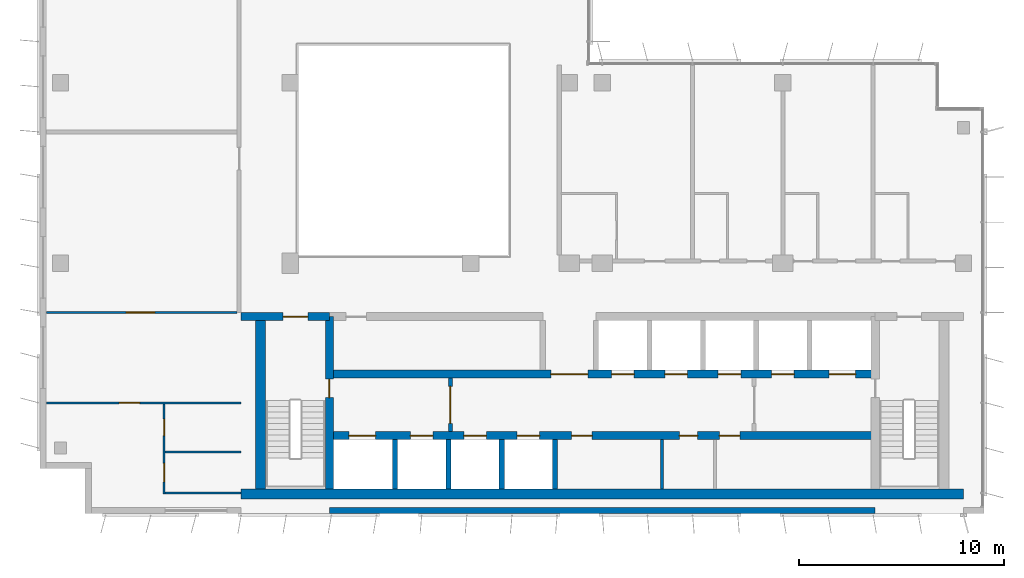
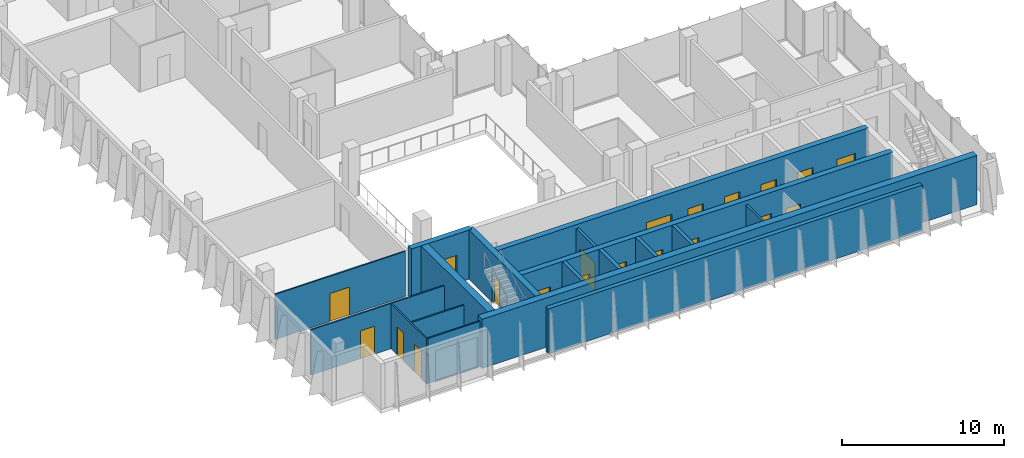
# One storey, part 9 of 15: 20 doors, 18 walls, 20 openings.
"""IFC4 building model written with IfcOpenShell, lengths in metres."""

from ifc_helpers import new_model, si_unit, direction, frame, frame_2d, origin, place, context, subcontext, project, spatial, rectangle, extrude, material, layer, layer_set, type_object, element, fill, save


model = new_model("IFC4")

# Units and contexts
model_context = context("Model", 3, precision=1e-05, world=origin(), true_north=direction((0.0, 1.0)))
body_context = subcontext(model_context, "Body", "Model", "MODEL_VIEW")
ifc_project = project(units=[si_unit("LENGTHUNIT", "METRE"), si_unit("AREAUNIT", "SQUARE_METRE"), si_unit("VOLUMEUNIT", "CUBIC_METRE"), si_unit("PLANEANGLEUNIT", "RADIAN"), si_unit("MASSUNIT", "GRAM", prefix="KILO")], contexts=[model_context])

# Site, building, storey
site_placement = place(None, origin())
site = spatial("IfcSite", under=ifc_project, at=site_placement, CompositionType="ELEMENT")
building_placement = place(site_placement, origin())
building = spatial("IfcBuilding", under=site, at=building_placement, Name="Kemantara Hotel Tower", CompositionType="ELEMENT")
storey_placement = place(building_placement, frame((0.0, 0.0, 301.800048828125)))
storey = spatial("IfcBuildingStorey", under=building, at=storey_placement, Name="L76", CompositionType="ELEMENT", Elevation=301.800048828125)

# Walls
ifc_material_1 = material(Name="Bronze anodised aluminium cladding on insulated steel stud wall", Category="steel")
ifc_layer_1 = layer(ifc_material_1, 0.300048828125)
ifc_layer_set_1 = layer_set([ifc_layer_1], Name="Bronze anodised aluminium cladding on insulated steel stud wall")
wall_type_1 = type_object("IfcWallType", Name="BRONZE METAL-CLAD EXTERNAL WALL 300", PredefinedType="STANDARD", material=ifc_layer_set_1)
wall_1_placement = place(storey_placement, frame((14.10009765625, 0.14990234375, 0.0), z_axis=(0.0, 0.0, 1.0), x_axis=(1.0, 0.0, 0.0)))
element("IfcWall", 1, at=wall_1_placement, inside=storey, type_object=wall_type_1, Name="EXTERNAL WALL L76 T4-R08-2", PredefinedType="STANDARD", context=body_context, shape_type="SweptSolid", body=[
    extrude(rectangle(XDim=26.599853515625, YDim=0.300048828125, at=frame_2d((13.2998046875, 0.0))), origin(), (0.0, 0.0, 1.0), 3.39990234375),
])
ifc_material_2 = material(Name="Concrete fc 50 MPa", Category="concrete")
ifc_layer_2 = layer(ifc_material_2, 0.25)
ifc_layer_set_2 = layer_set([ifc_layer_2], Name="Concrete fc 50 MPa")
wall_type_2 = type_object("IfcWallType", Name="CORE WALL 250 FC50", PredefinedType="SHEAR", material=ifc_layer_set_2)
for number, where, z_axis, x_axis, name in (
    (2, (17.300048828125, 1.199951171875, 0.0), (0.0, 0.0, 1.0), (0.0, 1.0, 0.0), "CORE WALL CW-DS17.3"),
    (3, (19.89990234375, 1.199951171875, 0.0), (0.0, 0.0, 1.0), (0.0, 1.0, 0.0), "CORE WALL CW-DS19.9"),
    (4, (22.5, 1.199951171875, 0.0), (0.0, 0.0, 1.0), (0.0, 1.0, 0.0), "CORE WALL CW-DS22.5"),
    (5, (25.10009765625, 1.199951171875, 0.0), (0.0, 0.0, 1.0), (0.0, 1.0, 0.0), "CORE WALL CW-DS25.1"),
):
    element("IfcWall", number, at=place(storey_placement, frame(where, z_axis=z_axis, x_axis=x_axis)), inside=storey, type_object=wall_type_2, Name=name, PredefinedType="SHEAR", context=body_context, shape_type="SweptSolid", body=[
        extrude(rectangle(XDim=2.400146484375, YDim=0.25, at=frame_2d((1.2001953125, 0.0))), origin(), (0.0, 0.0, 1.0), 3.699951171875),
    ])

# Wall, opening, door
ifc_layer_3 = layer(ifc_material_2, 0.39990234375)
ifc_layer_set_3 = layer_set([ifc_layer_3], Name="Concrete fc 50 MPa")
wall_type_3 = type_object("IfcWallType", Name="CORE WALL 400 FC50", PredefinedType="SHEAR", material=ifc_layer_set_3)
wall_2_placement = place(storey_placement, frame((9.800048828125, 9.60009765625, 0.0), z_axis=(0.0, 0.0, 1.0), x_axis=(1.0, 0.0, 0.0)))
wall_2 = element("IfcWall", 6, at=wall_2_placement, inside=storey, type_object=wall_type_3, Name="CORE WALL CW-N1", PredefinedType="SHEAR", context=body_context, shape_type="SweptSolid", body=[
    extrude(rectangle(XDim=4.300048828125, YDim=0.39990234375, at=frame_2d((2.14990234375, 0.0))), origin(), (0.0, 0.0, 1.0), 3.699951171875),
])
opening_1_placement = place(wall_2_placement, frame((2.050048828125, 0.0, 0.0)))
opening_1 = element("IfcOpeningElement", 7, at=opening_1_placement, cuts=wall_2, Name="Opening C42-ST1-C", PredefinedType="OPENING", context=body_context, shape_type="SweptSolid", body=[
    extrude(rectangle(XDim=1.199951171875, YDim=2.10009765625, at=frame_2d((0.60009765625, 1.050048828125))), frame((0.0, 0.2099609375, 0.0), z_axis=(0.0, -1.0, 0.0), x_axis=(1.0, 0.0, 0.0)), (0.0, 0.0, 1.0), 0.419921875),
])
ifc_material_3 = material(Name="Steel fire door", Category="steel")
door_type_1 = type_object("IfcDoorType", Name="Fire door FD90 1200 x 2100", OperationType="NOTDEFINED", PredefinedType="DOOR", material=ifc_material_3)
door_1_placement = place(opening_1_placement, frame((1.199951171875, 0.0, 0.0), z_axis=(0.0, 0.0, 1.0), x_axis=(-1.0, 0.0, 0.0)))
door_1 = element("IfcDoor", 8, at=door_1_placement, inside=storey, type_object=door_type_1, Name="Stair ST1 door to corridor", OperationType="SINGLE_SWING_LEFT", OverallHeight=2.10009765625, OverallWidth=1.199951171875, PredefinedType="DOOR", context=body_context, shape_type="SweptSolid", body=[
    extrude(rectangle(XDim=1.199951171875, YDim=2.10009765625, at=frame_2d((0.60009765625, 1.050048828125))), frame((0.0, 0.02490234375, 0.0), z_axis=(0.0, -1.0, 0.0), x_axis=(1.0, 0.0, 0.0)), (0.0, 0.0, 1.0), 0.050048828125),
])
fill(opening_1, door_1)

# Wall, openings, doors
wall_3_placement = place(storey_placement, frame((14.10009765625, 3.800048828125, 0.0), z_axis=(0.0, 0.0, 1.0), x_axis=(1.0, 0.0, 0.0)))
wall_3 = element("IfcWall", 9, at=wall_3_placement, inside=storey, type_object=wall_type_3, Name="CORE WALL CW-L1", PredefinedType="SHEAR", context=body_context, shape_type="SweptSolid", body=[
    extrude(rectangle(XDim=26.599853515625, YDim=0.39990234375, at=frame_2d((13.2998046875, 0.0))), origin(), (0.0, 0.0, 1.0), 3.699951171875),
])
opening_2_placement = place(wall_3_placement, frame((0.949951171875, 0.0, 0.0)))
opening_2 = element("IfcOpeningElement", 10, at=opening_2_placement, cuts=wall_3, Name="Opening C42-LD-FF1", PredefinedType="OPENING", context=body_context, shape_type="SweptSolid", body=[
    extrude(rectangle(XDim=1.300048828125, YDim=2.10009765625, at=frame_2d((0.64990234375, 1.050048828125))), frame((0.0, 0.2099609375, 0.0), z_axis=(0.0, -1.0, 0.0), x_axis=(1.0, 0.0, 0.0)), (0.0, 0.0, 1.0), 0.419921875),
])
opening_3_placement = place(wall_3_placement, frame((3.949951171875, 0.0, 0.0)))
opening_3 = element("IfcOpeningElement", 11, at=opening_3_placement, cuts=wall_3, Name="Opening C42-LD-SV1", PredefinedType="OPENING", context=body_context, shape_type="SweptSolid", body=[
    extrude(rectangle(XDim=1.10009765625, YDim=2.10009765625, at=frame_2d((0.550048828125, 1.050048828125))), frame((0.0, 0.2099609375, 0.0), z_axis=(0.0, -1.0, 0.0), x_axis=(1.0, 0.0, 0.0)), (0.0, 0.0, 1.0), 0.419921875),
])
opening_4_placement = place(wall_3_placement, frame((6.550048828125, 0.0, 0.0)))
opening_4 = element("IfcOpeningElement", 12, at=opening_4_placement, cuts=wall_3, Name="Opening C42-LD-SV2", PredefinedType="OPENING", context=body_context, shape_type="SweptSolid", body=[
    extrude(rectangle(XDim=1.10009765625, YDim=2.10009765625, at=frame_2d((0.550048828125, 1.050048828125))), frame((0.0, 0.2099609375, 0.0), z_axis=(0.0, -1.0, 0.0), x_axis=(1.0, 0.0, 0.0)), (0.0, 0.0, 1.0), 0.419921875),
])
opening_5_placement = place(wall_3_placement, frame((9.14990234375, 0.0, 0.0)))
opening_5 = element("IfcOpeningElement", 13, at=opening_5_placement, cuts=wall_3, Name="Opening C42-LD-SV3", PredefinedType="OPENING", context=body_context, shape_type="SweptSolid", body=[
    extrude(rectangle(XDim=1.10009765625, YDim=2.10009765625, at=frame_2d((0.550048828125, 1.050048828125))), frame((0.0, 0.2099609375, 0.0), z_axis=(0.0, -1.0, 0.0), x_axis=(1.0, 0.0, 0.0)), (0.0, 0.0, 1.0), 0.419921875),
])
opening_6_placement = place(wall_3_placement, frame((11.800048828125, 0.0, 0.0)))
opening_6 = element("IfcOpeningElement", 14, at=opening_6_placement, cuts=wall_3, Name="Opening C42-R-SM1", PredefinedType="OPENING", context=body_context, shape_type="SweptSolid", body=[
    extrude(rectangle(XDim=1.0, YDim=2.10009765625, at=frame_2d((0.5, 1.050048828125))), frame((0.0, 0.2099609375, 0.0), z_axis=(0.0, -1.0, 0.0), x_axis=(1.0, 0.0, 0.0)), (0.0, 0.0, 1.0), 0.419921875),
])
opening_7_placement = place(wall_3_placement, frame((17.050048828125, 0.0, 0.0)))
opening_7 = element("IfcOpeningElement", 15, at=opening_7_placement, cuts=wall_3, Name="Opening C42-R-SM2", PredefinedType="OPENING", context=body_context, shape_type="SweptSolid", body=[
    extrude(rectangle(XDim=0.89990234375, YDim=2.10009765625, at=frame_2d((0.449951171875, 1.050048828125))), frame((0.0, 0.2099609375, 0.0), z_axis=(0.0, -1.0, 0.0), x_axis=(1.0, 0.0, 0.0)), (0.0, 0.0, 1.0), 0.419921875),
])
opening_8_placement = place(wall_3_placement, frame((19.0, 0.0, 0.0)))
opening_8 = element("IfcOpeningElement", 16, at=opening_8_placement, cuts=wall_3, Name="Opening C42-R-SM3", PredefinedType="OPENING", context=body_context, shape_type="SweptSolid", body=[
    extrude(rectangle(XDim=1.0, YDim=2.10009765625, at=frame_2d((0.5, 1.050048828125))), frame((0.0, 0.2099609375, 0.0), z_axis=(0.0, -1.0, 0.0), x_axis=(1.0, 0.0, 0.0)), (0.0, 0.0, 1.0), 0.419921875),
])
door_type_2 = type_object("IfcDoorType", Name="Fire door FD30S 1000 x 2100", OperationType="NOTDEFINED", PredefinedType="DOOR", material=ifc_material_3)
door_2_placement = place(opening_8_placement, frame((1.0, 0.0, 0.0), z_axis=(0.0, 0.0, 1.0), x_axis=(-1.0, 0.0, 0.0)))
door_2 = element("IfcDoor", 17, at=door_2_placement, inside=storey, type_object=door_type_2, Name="Housekeeping Store door", OperationType="SINGLE_SWING_LEFT", OverallHeight=2.10009765625, OverallWidth=1.0, PredefinedType="DOOR", context=body_context, shape_type="SweptSolid", body=[
    extrude(rectangle(XDim=1.0, YDim=2.10009765625, at=frame_2d((0.5, 1.050048828125))), frame((0.0, 0.02490234375, 0.0), z_axis=(0.0, -1.0, 0.0), x_axis=(1.0, 0.0, 0.0)), (0.0, 0.0, 1.0), 0.050048828125),
])
fill(opening_8, door_2)
door_type_3 = type_object("IfcDoorType", Name="Fire door FD60 1000 x 2100", OperationType="NOTDEFINED", PredefinedType="DOOR", material=ifc_material_3)
door_3_placement = place(opening_6_placement, frame((1.0, 0.0, 0.0), z_axis=(0.0, 0.0, 1.0), x_axis=(-1.0, 0.0, 0.0)))
door_3 = element("IfcDoor", 18, at=door_3_placement, inside=storey, type_object=door_type_3, Name="It Equipment Room door", OperationType="SINGLE_SWING_RIGHT", OverallHeight=2.10009765625, OverallWidth=1.0, PredefinedType="DOOR", context=body_context, shape_type="SweptSolid", body=[
    extrude(rectangle(XDim=1.0, YDim=2.10009765625, at=frame_2d((0.5, 1.050048828125))), frame((0.0, 0.02490234375, 0.0), z_axis=(0.0, -1.0, 0.0), x_axis=(1.0, 0.0, 0.0)), (0.0, 0.0, 1.0), 0.050048828125),
])
fill(opening_6, door_3)
door_type_4 = type_object("IfcDoorType", Name="Fire door FD60 900 x 2100", OperationType="NOTDEFINED", PredefinedType="DOOR", material=ifc_material_3)
door_4_placement = place(opening_7_placement, frame((0.89990234375, 0.0, 0.0), z_axis=(0.0, 0.0, 1.0), x_axis=(-1.0, 0.0, 0.0)))
door_4 = element("IfcDoor", 19, at=door_4_placement, inside=storey, type_object=door_type_4, Name="Comms Equipment Room door", OperationType="SINGLE_SWING_LEFT", OverallHeight=2.10009765625, OverallWidth=0.89990234375, PredefinedType="DOOR", context=body_context, shape_type="SweptSolid", body=[
    extrude(rectangle(XDim=0.89990234375, YDim=2.10009765625, at=frame_2d((0.449951171875, 1.050048828125))), frame((0.0, 0.02490234375, 0.0), z_axis=(0.0, -1.0, 0.0), x_axis=(1.0, 0.0, 0.0)), (0.0, 0.0, 1.0), 0.050048828125),
])
fill(opening_7, door_4)
ifc_material_4 = material(Name="Stainless steel lift door", Category="steel")
door_type_5 = type_object("IfcDoorType", Name="Lift landing door 1100 x 2100 FD60", OperationType="DOUBLE_DOOR_SLIDING", PredefinedType="DOOR", material=ifc_material_4)
door_5_placement = place(opening_3_placement, origin())
door_5 = element("IfcDoor", 20, at=door_5_placement, inside=storey, type_object=door_type_5, Name="Lift SV1 landing door", OperationType="DOUBLE_DOOR_SLIDING", OverallHeight=2.10009765625, OverallWidth=1.10009765625, PredefinedType="DOOR", context=body_context, shape_type="SweptSolid", body=[
    extrude(rectangle(XDim=1.10009765625, YDim=2.10009765625, at=frame_2d((0.550048828125, 1.050048828125))), frame((0.0, 0.02490234375, 0.0), z_axis=(0.0, -1.0, 0.0), x_axis=(1.0, 0.0, 0.0)), (0.0, 0.0, 1.0), 0.050048828125),
])
fill(opening_3, door_5)
door_6_placement = place(opening_4_placement, origin())
door_6 = element("IfcDoor", 21, at=door_6_placement, inside=storey, type_object=door_type_5, Name="Lift SV2 landing door", OperationType="DOUBLE_DOOR_SLIDING", OverallHeight=2.10009765625, OverallWidth=1.10009765625, PredefinedType="DOOR", context=body_context, shape_type="SweptSolid", body=[
    extrude(rectangle(XDim=1.10009765625, YDim=2.10009765625, at=frame_2d((0.550048828125, 1.050048828125))), frame((0.0, 0.02490234375, 0.0), z_axis=(0.0, -1.0, 0.0), x_axis=(1.0, 0.0, 0.0)), (0.0, 0.0, 1.0), 0.050048828125),
])
fill(opening_4, door_6)
door_7_placement = place(opening_5_placement, origin())
door_7 = element("IfcDoor", 22, at=door_7_placement, inside=storey, type_object=door_type_5, Name="Lift SV3 landing door", OperationType="DOUBLE_DOOR_SLIDING", OverallHeight=2.10009765625, OverallWidth=1.10009765625, PredefinedType="DOOR", context=body_context, shape_type="SweptSolid", body=[
    extrude(rectangle(XDim=1.10009765625, YDim=2.10009765625, at=frame_2d((0.550048828125, 1.050048828125))), frame((0.0, 0.02490234375, 0.0), z_axis=(0.0, -1.0, 0.0), x_axis=(1.0, 0.0, 0.0)), (0.0, 0.0, 1.0), 0.050048828125),
])
fill(opening_5, door_7)
door_type_6 = type_object("IfcDoorType", Name="Lift landing door 1300 x 2100 FD90", OperationType="DOUBLE_DOOR_SLIDING", PredefinedType="DOOR", material=ifc_material_4)
door_8_placement = place(opening_2_placement, origin())
door_8 = element("IfcDoor", 23, at=door_8_placement, inside=storey, type_object=door_type_6, Name="Lift FF1 landing door", OperationType="DOUBLE_DOOR_SLIDING", OverallHeight=2.10009765625, OverallWidth=1.300048828125, PredefinedType="DOOR", context=body_context, shape_type="SweptSolid", body=[
    extrude(rectangle(XDim=1.300048828125, YDim=2.10009765625, at=frame_2d((0.64990234375, 1.050048828125))), frame((0.0, 0.02490234375, 0.0), z_axis=(0.0, -1.0, 0.0), x_axis=(1.0, 0.0, 0.0)), (0.0, 0.0, 1.0), 0.050048828125),
])
fill(opening_2, door_8)

wall_4_placement = place(storey_placement, frame((14.10009765625, 6.800048828125, 0.0), z_axis=(0.0, 0.0, 1.0), x_axis=(1.0, 0.0, 0.0)))
wall_4 = element("IfcWall", 24, at=wall_4_placement, inside=storey, type_object=wall_type_3, Name="CORE WALL CW-L2", PredefinedType="SHEAR", context=body_context, shape_type="SweptSolid", body=[
    extrude(rectangle(XDim=26.599853515625, YDim=0.39990234375, at=frame_2d((13.2998046875, 0.0))), origin(), (0.0, 0.0, 1.0), 3.699951171875),
])
opening_9_placement = place(wall_4_placement, frame((10.800048828125, 0.0, 0.0)))
opening_9 = element("IfcOpeningElement", 25, at=opening_9_placement, cuts=wall_4, Name="Opening C42-VL", PredefinedType="OPENING", context=body_context, shape_type="SweptSolid", body=[
    extrude(rectangle(XDim=1.800048828125, YDim=2.10009765625, at=frame_2d((0.89990234375, 1.050048828125))), frame((0.0, 0.2099609375, 0.0), z_axis=(0.0, -1.0, 0.0), x_axis=(1.0, 0.0, 0.0)), (0.0, 0.0, 1.0), 0.419921875),
])
opening_10_placement = place(wall_4_placement, frame((13.75, 0.0, 0.0)))
opening_10 = element("IfcOpeningElement", 26, at=opening_10_placement, cuts=wall_4, Name="Opening C42-LD-HR1", PredefinedType="OPENING", context=body_context, shape_type="SweptSolid", body=[
    extrude(rectangle(XDim=1.10009765625, YDim=2.10009765625, at=frame_2d((0.550048828125, 1.050048828125))), frame((0.0, 0.2099609375, 0.0), z_axis=(0.0, -1.0, 0.0), x_axis=(1.0, 0.0, 0.0)), (0.0, 0.0, 1.0), 0.419921875),
])
opening_11_placement = place(wall_4_placement, frame((16.35009765625, 0.0, 0.0)))
opening_11 = element("IfcOpeningElement", 27, at=opening_11_placement, cuts=wall_4, Name="Opening C42-LD-HR2", PredefinedType="OPENING", context=body_context, shape_type="SweptSolid", body=[
    extrude(rectangle(XDim=1.10009765625, YDim=2.10009765625, at=frame_2d((0.550048828125, 1.050048828125))), frame((0.0, 0.2099609375, 0.0), z_axis=(0.0, -1.0, 0.0), x_axis=(1.0, 0.0, 0.0)), (0.0, 0.0, 1.0), 0.419921875),
])
opening_12_placement = place(wall_4_placement, frame((18.949951171875, 0.0, 0.0)))
opening_12 = element("IfcOpeningElement", 28, at=opening_12_placement, cuts=wall_4, Name="Opening C42-LD-HR3", PredefinedType="OPENING", context=body_context, shape_type="SweptSolid", body=[
    extrude(rectangle(XDim=1.10009765625, YDim=2.10009765625, at=frame_2d((0.550048828125, 1.050048828125))), frame((0.0, 0.2099609375, 0.0), z_axis=(0.0, -1.0, 0.0), x_axis=(1.0, 0.0, 0.0)), (0.0, 0.0, 1.0), 0.419921875),
])
opening_13_placement = place(wall_4_placement, frame((21.550048828125, 0.0, 0.0)))
opening_13 = element("IfcOpeningElement", 29, at=opening_13_placement, cuts=wall_4, Name="Opening C42-LD-HR4", PredefinedType="OPENING", context=body_context, shape_type="SweptSolid", body=[
    extrude(rectangle(XDim=1.10009765625, YDim=2.10009765625, at=frame_2d((0.550048828125, 1.050048828125))), frame((0.0, 0.2099609375, 0.0), z_axis=(0.0, -1.0, 0.0), x_axis=(1.0, 0.0, 0.0)), (0.0, 0.0, 1.0), 0.419921875),
])
opening_14_placement = place(wall_4_placement, frame((24.35009765625, 0.0, 0.0)))
opening_14 = element("IfcOpeningElement", 30, at=opening_14_placement, cuts=wall_4, Name="Opening C42-LD-FF2", PredefinedType="OPENING", context=body_context, shape_type="SweptSolid", body=[
    extrude(rectangle(XDim=1.300048828125, YDim=2.10009765625, at=frame_2d((0.64990234375, 1.050048828125))), frame((0.0, 0.2099609375, 0.0), z_axis=(0.0, -1.0, 0.0), x_axis=(1.0, 0.0, 0.0)), (0.0, 0.0, 1.0), 0.419921875),
])
door_type_7 = type_object("IfcDoorType", Name="Fire door pair FD60 1800 x 2100", OperationType="DOUBLE_DOOR_SINGLE_SWING", PredefinedType="DOOR", material=ifc_material_3)
door_9_placement = place(opening_9_placement, frame((1.800048828125, 0.0, 0.0), z_axis=(0.0, 0.0, 1.0), x_axis=(-1.0, 0.0, 0.0)))
door_9 = element("IfcDoor", 31, at=door_9_placement, inside=storey, type_object=door_type_7, Name="Lift lobby entry door", OperationType="DOUBLE_DOOR_SINGLE_SWING", OverallHeight=2.10009765625, OverallWidth=1.800048828125, PredefinedType="DOOR", context=body_context, shape_type="SweptSolid", body=[
    extrude(rectangle(XDim=1.800048828125, YDim=2.10009765625, at=frame_2d((0.89990234375, 1.050048828125))), frame((0.0, 0.02490234375, 0.0), z_axis=(0.0, -1.0, 0.0), x_axis=(1.0, 0.0, 0.0)), (0.0, 0.0, 1.0), 0.050048828125),
])
fill(opening_9, door_9)
door_10_placement = place(opening_10_placement, origin())
door_10 = element("IfcDoor", 32, at=door_10_placement, inside=storey, type_object=door_type_5, Name="Lift HR1 landing door", OperationType="DOUBLE_DOOR_SLIDING", OverallHeight=2.10009765625, OverallWidth=1.10009765625, PredefinedType="DOOR", context=body_context, shape_type="SweptSolid", body=[
    extrude(rectangle(XDim=1.10009765625, YDim=2.10009765625, at=frame_2d((0.550048828125, 1.050048828125))), frame((0.0, 0.02490234375, 0.0), z_axis=(0.0, -1.0, 0.0), x_axis=(1.0, 0.0, 0.0)), (0.0, 0.0, 1.0), 0.050048828125),
])
fill(opening_10, door_10)
door_11_placement = place(opening_11_placement, origin())
door_11 = element("IfcDoor", 33, at=door_11_placement, inside=storey, type_object=door_type_5, Name="Lift HR2 landing door", OperationType="DOUBLE_DOOR_SLIDING", OverallHeight=2.10009765625, OverallWidth=1.10009765625, PredefinedType="DOOR", context=body_context, shape_type="SweptSolid", body=[
    extrude(rectangle(XDim=1.10009765625, YDim=2.10009765625, at=frame_2d((0.550048828125, 1.050048828125))), frame((0.0, 0.02490234375, 0.0), z_axis=(0.0, -1.0, 0.0), x_axis=(1.0, 0.0, 0.0)), (0.0, 0.0, 1.0), 0.050048828125),
])
fill(opening_11, door_11)
door_12_placement = place(opening_12_placement, origin())
door_12 = element("IfcDoor", 34, at=door_12_placement, inside=storey, type_object=door_type_5, Name="Lift HR3 landing door", OperationType="DOUBLE_DOOR_SLIDING", OverallHeight=2.10009765625, OverallWidth=1.10009765625, PredefinedType="DOOR", context=body_context, shape_type="SweptSolid", body=[
    extrude(rectangle(XDim=1.10009765625, YDim=2.10009765625, at=frame_2d((0.550048828125, 1.050048828125))), frame((0.0, 0.02490234375, 0.0), z_axis=(0.0, -1.0, 0.0), x_axis=(1.0, 0.0, 0.0)), (0.0, 0.0, 1.0), 0.050048828125),
])
fill(opening_12, door_12)
door_13_placement = place(opening_13_placement, origin())
door_13 = element("IfcDoor", 35, at=door_13_placement, inside=storey, type_object=door_type_5, Name="Lift HR4 landing door", OperationType="DOUBLE_DOOR_SLIDING", OverallHeight=2.10009765625, OverallWidth=1.10009765625, PredefinedType="DOOR", context=body_context, shape_type="SweptSolid", body=[
    extrude(rectangle(XDim=1.10009765625, YDim=2.10009765625, at=frame_2d((0.550048828125, 1.050048828125))), frame((0.0, 0.02490234375, 0.0), z_axis=(0.0, -1.0, 0.0), x_axis=(1.0, 0.0, 0.0)), (0.0, 0.0, 1.0), 0.050048828125),
])
fill(opening_13, door_13)
door_14_placement = place(opening_14_placement, origin())
door_14 = element("IfcDoor", 36, at=door_14_placement, inside=storey, type_object=door_type_6, Name="Lift FF2 landing door", OperationType="DOUBLE_DOOR_SLIDING", OverallHeight=2.10009765625, OverallWidth=1.300048828125, PredefinedType="DOOR", context=body_context, shape_type="SweptSolid", body=[
    extrude(rectangle(XDim=1.300048828125, YDim=2.10009765625, at=frame_2d((0.64990234375, 1.050048828125))), frame((0.0, 0.02490234375, 0.0), z_axis=(0.0, -1.0, 0.0), x_axis=(1.0, 0.0, 0.0)), (0.0, 0.0, 1.0), 0.050048828125),
])
fill(opening_14, door_14)

# Wall, opening, door
wall_5_placement = place(storey_placement, frame((14.10009765625, 1.199951171875, 0.0), z_axis=(0.0, 0.0, 1.0), x_axis=(0.0, 1.0, 0.0)))
wall_5 = element("IfcWall", 37, at=wall_5_placement, inside=storey, type_object=wall_type_3, Name="CORE WALL CW-ST1E", PredefinedType="SHEAR", context=body_context, shape_type="SweptSolid", body=[
    extrude(rectangle(XDim=8.400146484375, YDim=0.39990234375, at=frame_2d((4.2001953125, 0.0))), origin(), (0.0, 0.0, 1.0), 3.699951171875),
])
opening_15_placement = place(wall_5_placement, frame((4.449951171875, 0.0, 0.0)))
opening_15 = element("IfcOpeningElement", 38, at=opening_15_placement, cuts=wall_5, Name="Opening C42-ST1-F", PredefinedType="OPENING", context=body_context, shape_type="SweptSolid", body=[
    extrude(rectangle(XDim=0.89990234375, YDim=2.10009765625, at=frame_2d((0.449951171875, 1.050048828125))), frame((0.0, 0.2099609375, 0.0), z_axis=(0.0, -1.0, 0.0), x_axis=(1.0, 0.0, 0.0)), (0.0, 0.0, 1.0), 0.419921875),
])
door_type_8 = type_object("IfcDoorType", Name="Fire door FD90 900 x 2100", OperationType="NOTDEFINED", PredefinedType="DOOR", material=ifc_material_3)
door_15_placement = place(opening_15_placement, origin())
door_15 = element("IfcDoor", 39, at=door_15_placement, inside=storey, type_object=door_type_8, Name="Stair ST1 door to firefighting lobby", OperationType="SINGLE_SWING_RIGHT", OverallHeight=2.10009765625, OverallWidth=0.89990234375, PredefinedType="DOOR", context=body_context, shape_type="SweptSolid", body=[
    extrude(rectangle(XDim=0.89990234375, YDim=2.10009765625, at=frame_2d((0.449951171875, 1.050048828125))), frame((0.0, 0.02490234375, 0.0), z_axis=(0.0, -1.0, 0.0), x_axis=(1.0, 0.0, 0.0)), (0.0, 0.0, 1.0), 0.050048828125),
])
fill(opening_15, door_15)

# Walls
ifc_layer_4 = layer(ifc_material_2, 0.5)
ifc_layer_set_4 = layer_set([ifc_layer_4], Name="Concrete fc 50 MPa")
wall_type_4 = type_object("IfcWallType", Name="CORE WALL 500 FC50", PredefinedType="SHEAR", material=ifc_layer_set_4)
wall_6_placement = place(storey_placement, frame((9.800048828125, 0.949951171875, 0.0), z_axis=(0.0, 0.0, 1.0), x_axis=(1.0, 0.0, 0.0)))
element("IfcWall", 40, at=wall_6_placement, inside=storey, type_object=wall_type_4, Name="CORE WALL CW-S", PredefinedType="SHEAR", context=body_context, shape_type="SweptSolid", body=[
    extrude(rectangle(XDim=35.199951171875, YDim=0.5, at=frame_2d((17.60009765625, 0.0))), origin(), (0.0, 0.0, 1.0), 3.699951171875),
])
wall_7_placement = place(storey_placement, frame((10.75, 1.199951171875, 0.0), z_axis=(0.0, 0.0, 1.0), x_axis=(0.0, 1.0, 0.0)))
element("IfcWall", 41, at=wall_7_placement, inside=storey, type_object=wall_type_4, Name="CORE WALL CW-W", PredefinedType="SHEAR", context=body_context, shape_type="SweptSolid", body=[
    extrude(rectangle(XDim=8.60009765625, YDim=0.5, at=frame_2d((4.300048828125, 0.0))), origin(), (0.0, 0.0, 1.0), 3.699951171875),
])
ifc_material_5 = material(Name="Gypsum board partition")
ifc_layer_5 = layer(ifc_material_5, 0.14990234375)
ifc_layer_set_5 = layer_set([ifc_layer_5], Name="Gypsum board partition")
wall_type_5 = type_object("IfcWallType", Name="Gypsum board partition 150 mm", PredefinedType="PARTITIONING", material=ifc_layer_set_5)
wall_8_placement = place(storey_placement, frame((30.300048828125, 1.199951171875, 0.0), z_axis=(0.0, 0.0, 1.0), x_axis=(0.0, 1.0, 0.0)))
element("IfcWall", 42, at=wall_8_placement, inside=storey, type_object=wall_type_5, Name="Core room partition", PredefinedType="PARTITIONING", context=body_context, shape_type="SweptSolid", body=[
    extrude(rectangle(XDim=2.400146484375, YDim=0.14990234375, at=frame_2d((1.2001953125, 0.0))), origin(), (0.0, 0.0, 1.0), 3.39990234375),
])

# Wall, opening, door
ifc_material_6 = material(Name="Gypsum board shaft wall")
ifc_layer_6 = layer(ifc_material_6, 0.199951171875)
ifc_layer_set_6 = layer_set([ifc_layer_6], Name="Gypsum board shaft wall")
wall_type_6 = type_object("IfcWallType", Name="Gypsum board shaft wall 200 mm", PredefinedType="PARTITIONING", material=ifc_layer_set_6)
wall_9_placement = place(storey_placement, frame((20.0, 4.0, 0.0), z_axis=(0.0, 0.0, 1.0), x_axis=(0.0, 1.0, 0.0)))
wall_9 = element("IfcWall", 43, at=wall_9_placement, inside=storey, type_object=wall_type_6, Name="Firefighting lobby partition west", PredefinedType="PARTITIONING", context=body_context, shape_type="SweptSolid", body=[
    extrude(rectangle(XDim=2.60009765625, YDim=0.199951171875, at=frame_2d((1.300048828125, 0.0))), origin(), (0.0, 0.0, 1.0), 3.39990234375),
])
opening_16_placement = place(wall_9_placement, frame((0.39990234375, 0.0, 0.0)))
opening_16 = element("IfcOpeningElement", 44, at=opening_16_placement, cuts=wall_9, Name="Opening C42-FFW", PredefinedType="OPENING", context=body_context, shape_type="SweptSolid", body=[
    extrude(rectangle(XDim=1.800048828125, YDim=2.10009765625, at=frame_2d((0.89990234375, 1.050048828125))), frame((0.0, 0.10986328125, 0.0), z_axis=(0.0, -1.0, 0.0), x_axis=(1.0, 0.0, 0.0)), (0.0, 0.0, 1.0), 0.219970703125),
])
door_16_placement = place(opening_16_placement, origin())
door_16 = element("IfcDoor", 45, at=door_16_placement, inside=storey, type_object=door_type_7, Name="Firefighting lobby door west", OperationType="DOUBLE_DOOR_SINGLE_SWING", OverallHeight=2.10009765625, OverallWidth=1.800048828125, PredefinedType="DOOR", context=body_context, shape_type="SweptSolid", body=[
    extrude(rectangle(XDim=1.800048828125, YDim=2.10009765625, at=frame_2d((0.89990234375, 1.050048828125))), frame((0.0, 0.02490234375, 0.0), z_axis=(0.0, -1.0, 0.0), x_axis=(1.0, 0.0, 0.0)), (0.0, 0.0, 1.0), 0.050048828125),
])
fill(opening_16, door_16)

# Wall, openings, doors
ifc_material_7 = material(Name="Gypsum board partition on steel studs, 100 mm", Category="steel")
ifc_layer_7 = layer(ifc_material_7, 0.10009765625)
ifc_layer_set_7 = layer_set([ifc_layer_7], Name="Gypsum board partition on steel studs, 100 mm")
wall_type_7 = type_object("IfcWallType", Name="ROOM PARTITION 100", PredefinedType="PARTITIONING", material=ifc_layer_set_7)
wall_10_placement = place(storey_placement, frame((6.050048828125, 5.35009765625, 0.0), z_axis=(0.0, 0.0, 1.0), x_axis=(0.0, -1.0, 0.0)))
wall_10 = element("IfcWall", 46, at=wall_10_placement, inside=storey, type_object=wall_type_7, Name="ROOM PARTITION 100 031", PredefinedType="PARTITIONING", context=body_context, shape_type="SweptSolid", body=[
    extrude(rectangle(XDim=4.400146484375, YDim=0.10009765625, at=frame_2d((2.2001953125, 0.0))), origin(), (0.0, 0.0, 1.0), 3.39990234375),
])
opening_17_placement = place(wall_10_placement, frame((2.89990234375, 0.0, 0.0)))
opening_17 = element("IfcOpeningElement", 47, at=opening_17_placement, cuts=wall_10, Name="Opening F37-012", PredefinedType="OPENING", context=body_context, shape_type="SweptSolid", body=[
    extrude(rectangle(XDim=0.89990234375, YDim=2.10009765625, at=frame_2d((0.449951171875, 1.050048828125))), frame((0.0, 0.06005859375, 0.0), z_axis=(0.0, -1.0, 0.0), x_axis=(1.0, 0.0, 0.0)), (0.0, 0.0, 1.0), 0.1201171875),
])
opening_18_placement = place(wall_10_placement, frame((0.75, 0.0, 0.0)))
opening_18 = element("IfcOpeningElement", 48, at=opening_18_placement, cuts=wall_10, Name="Opening F37-013", PredefinedType="OPENING", context=body_context, shape_type="SweptSolid", body=[
    extrude(rectangle(XDim=0.800048828125, YDim=2.10009765625, at=frame_2d((0.39990234375, 1.050048828125))), frame((0.0, 0.06005859375, 0.0), z_axis=(0.0, -1.0, 0.0), x_axis=(1.0, 0.0, 0.0)), (0.0, 0.0, 1.0), 0.1201171875),
])
ifc_material_8 = material(Name="Hardwood veneer door leaf with steel frame", Category="steel")
door_type_9 = type_object("IfcDoorType", Name="BATHROOM DOOR 900 X 2100", OperationType="NOTDEFINED", PredefinedType="DOOR", material=ifc_material_8)
door_17_placement = place(opening_17_placement, origin())
door_17 = element("IfcDoor", 49, at=door_17_placement, inside=storey, type_object=door_type_9, Name="BATHROOM DOOR F37-012", OperationType="SINGLE_SWING_LEFT", OverallHeight=2.10009765625, OverallWidth=0.89990234375, PredefinedType="DOOR", context=body_context, shape_type="SweptSolid", body=[
    extrude(rectangle(XDim=0.89990234375, YDim=2.10009765625, at=frame_2d((0.449951171875, 1.050048828125))), frame((0.0, 0.02490234375, 0.0), z_axis=(0.0, -1.0, 0.0), x_axis=(1.0, 0.0, 0.0)), (0.0, 0.0, 1.0), 0.050048828125),
])
fill(opening_17, door_17)
door_type_10 = type_object("IfcDoorType", Name="WARDROBE DOOR 800 X 2100", OperationType="NOTDEFINED", PredefinedType="DOOR", material=ifc_material_8)
door_18_placement = place(opening_18_placement, origin())
door_18 = element("IfcDoor", 50, at=door_18_placement, inside=storey, type_object=door_type_10, Name="WARDROBE DOOR F37-013", OperationType="SINGLE_SWING_LEFT", OverallHeight=2.10009765625, OverallWidth=0.800048828125, PredefinedType="DOOR", context=body_context, shape_type="SweptSolid", body=[
    extrude(rectangle(XDim=0.800048828125, YDim=2.10009765625, at=frame_2d((0.39990234375, 1.050048828125))), frame((0.0, 0.02490234375, 0.0), z_axis=(0.0, -1.0, 0.0), x_axis=(1.0, 0.0, 0.0)), (0.0, 0.0, 1.0), 0.050048828125),
])
fill(opening_18, door_18)

# Wall, opening, door
wall_11_placement = place(storey_placement, frame((9.60009765625, 9.800048828125, 0.0), z_axis=(0.0, 0.0, 1.0), x_axis=(-1.0, 0.0, 0.0)))
wall_11 = element("IfcWall", 51, at=wall_11_placement, inside=storey, type_object=wall_type_7, Name="ROOM PARTITION 100 032", PredefinedType="PARTITIONING", context=body_context, shape_type="SweptSolid", body=[
    extrude(rectangle(XDim=9.2900390625, YDim=0.10009765625, at=frame_2d((4.64501953125, 0.0))), origin(), (0.0, 0.0, 1.0), 3.39990234375),
])
opening_19_placement = place(wall_11_placement, frame((4.0, 0.0, 0.0)))
opening_19 = element("IfcOpeningElement", 52, at=opening_19_placement, cuts=wall_11, Name="Opening F37-010", PredefinedType="OPENING", context=body_context, shape_type="SweptSolid", body=[
    extrude(rectangle(XDim=1.39990234375, YDim=2.10009765625, at=frame_2d((0.699951171875, 1.050048828125))), frame((0.0, 0.06005859375, 0.0), z_axis=(0.0, -1.0, 0.0), x_axis=(1.0, 0.0, 0.0)), (0.0, 0.0, 1.0), 0.1201171875),
])
door_type_11 = type_object("IfcDoorType", Name="INTERNAL DOOR 1400 X 2100", OperationType="NOTDEFINED", PredefinedType="DOOR", material=ifc_material_8)
door_19_placement = place(opening_19_placement, origin())
door_19 = element("IfcDoor", 53, at=door_19_placement, inside=storey, type_object=door_type_11, Name="INTERNAL DOOR F37-010", OperationType="DOUBLE_DOOR_SINGLE_SWING", OverallHeight=2.10009765625, OverallWidth=1.39990234375, PredefinedType="DOOR", context=body_context, shape_type="SweptSolid", body=[
    extrude(rectangle(XDim=1.39990234375, YDim=2.10009765625, at=frame_2d((0.699951171875, 1.050048828125))), frame((0.0, 0.02490234375, 0.0), z_axis=(0.0, -1.0, 0.0), x_axis=(1.0, 0.0, 0.0)), (0.0, 0.0, 1.0), 0.050048828125),
])
fill(opening_19, door_19)

wall_12_placement = place(storey_placement, frame((9.7998046875, 5.39990234375, 0.0), z_axis=(0.0, 0.0, 1.0), x_axis=(-1.0, 0.0, 0.0)))
wall_12 = element("IfcWall", 54, at=wall_12_placement, inside=storey, type_object=wall_type_7, Name="ROOM PARTITION 100 033", PredefinedType="PARTITIONING", context=body_context, shape_type="SweptSolid", body=[
    extrude(rectangle(XDim=9.48974609375, YDim=0.10009765625, at=frame_2d((4.744873046875, 0.0))), origin(), (0.0, 0.0, 1.0), 3.39990234375),
])
opening_20_placement = place(wall_12_placement, frame((4.949951171875, 0.0, 0.0)))
opening_20 = element("IfcOpeningElement", 55, at=opening_20_placement, cuts=wall_12, Name="Opening F37-011", PredefinedType="OPENING", context=body_context, shape_type="SweptSolid", body=[
    extrude(rectangle(XDim=1.0, YDim=2.10009765625, at=frame_2d((0.5, 1.050048828125))), frame((0.0, 0.06005859375, 0.0), z_axis=(0.0, -1.0, 0.0), x_axis=(1.0, 0.0, 0.0)), (0.0, 0.0, 1.0), 0.1201171875),
])
door_type_12 = type_object("IfcDoorType", Name="INTERNAL DOOR 1000 X 2100", OperationType="NOTDEFINED", PredefinedType="DOOR", material=ifc_material_8)
door_20_placement = place(opening_20_placement, origin())
door_20 = element("IfcDoor", 56, at=door_20_placement, inside=storey, type_object=door_type_12, Name="INTERNAL DOOR F37-011", OperationType="SINGLE_SWING_LEFT", OverallHeight=2.10009765625, OverallWidth=1.0, PredefinedType="DOOR", context=body_context, shape_type="SweptSolid", body=[
    extrude(rectangle(XDim=1.0, YDim=2.10009765625, at=frame_2d((0.5, 1.050048828125))), frame((0.0, 0.02490234375, 0.0), z_axis=(0.0, -1.0, 0.0), x_axis=(1.0, 0.0, 0.0)), (0.0, 0.0, 1.0), 0.050048828125),
])
fill(opening_20, door_20)

# Walls
for number, where, z_axis, x_axis, name in (
    (57, (6.10009765625, 1.0, 0.0), (0.0, 0.0, 1.0), (1.0, 0.0, 0.0), "ROOM PARTITION 100 034"),
    (58, (6.10009765625, 3.0, 0.0), (0.0, 0.0, 1.0), (1.0, 0.0, 0.0), "ROOM PARTITION 100 035"),
):
    element("IfcWall", number, at=place(storey_placement, frame(where, z_axis=z_axis, x_axis=x_axis)), inside=storey, type_object=wall_type_7, Name=name, PredefinedType="PARTITIONING", context=body_context, shape_type="SweptSolid", body=[
        extrude(rectangle(XDim=3.69970703125, YDim=0.10009765625, at=frame_2d((1.849853515625, 0.0))), origin(), (0.0, 0.0, 1.0), 3.39990234375),
    ])

save(model, "model.ifc")
